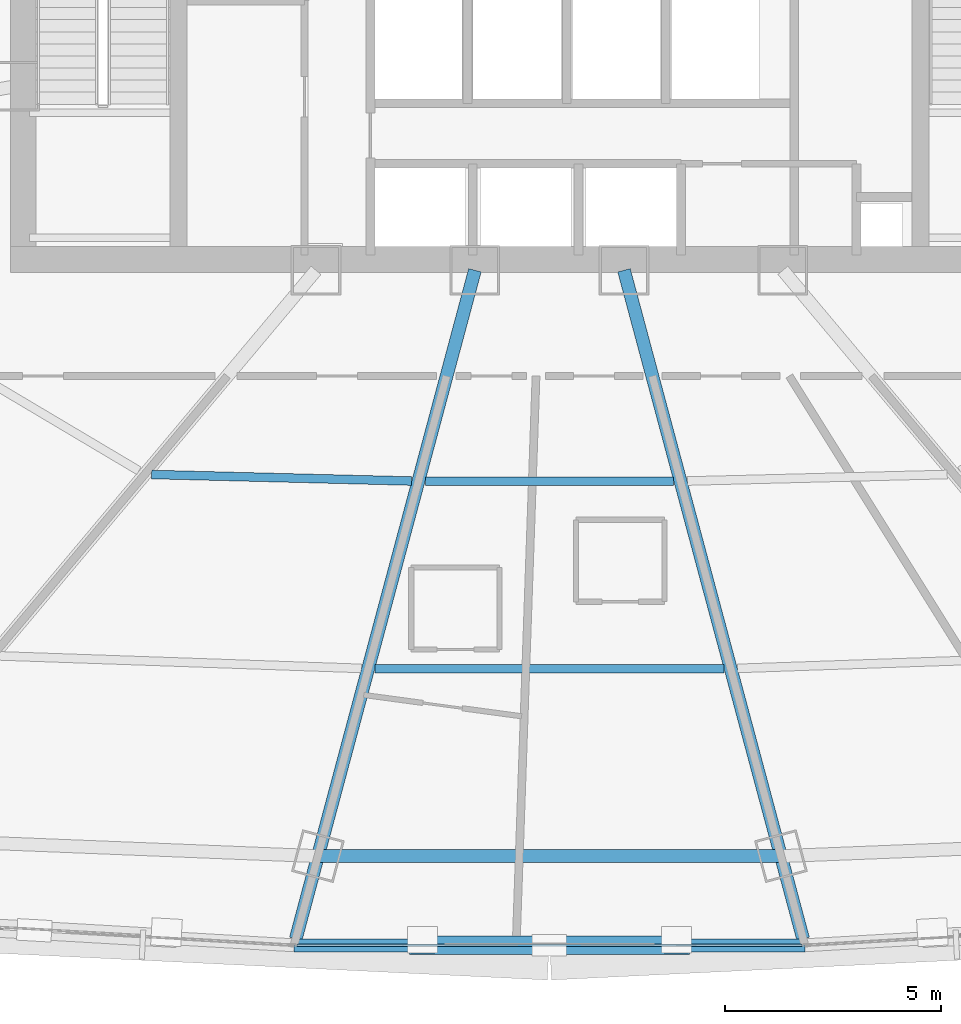
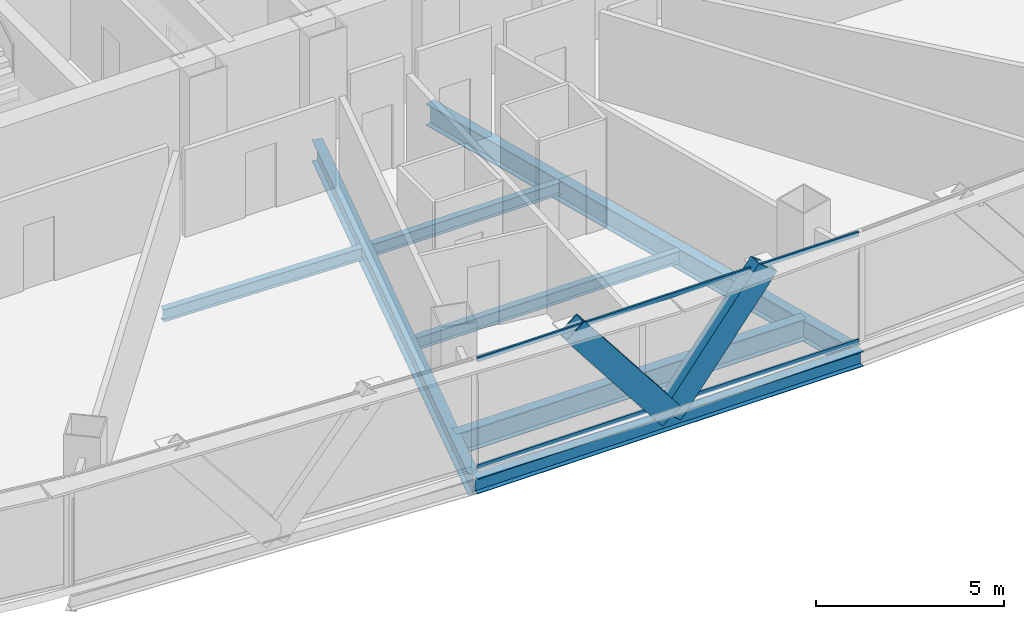
# One storey, part 9 of 37: 7 beams, 4 members, 1 element without a shape of its own.
"""IFC4 building model written with IfcOpenShell, lengths in metres."""

from ifc_helpers import new_model, si_unit, direction, frame, origin, origin_2d, place, context, subcontext, project, spatial, hollow_rectangle, i_section, extrude, source, transform, mapped, material, layer, layer_set, material_profile, profile_set, type_object, element, aggregate, save


model = new_model("IFC4")

# Units and contexts
model_context = context("Model", 3, precision=1e-05, world=origin(), true_north=direction((0.0, 1.0)))
body_context = subcontext(model_context, "Body", "Model", "MODEL_VIEW")
ifc_project = project(units=[si_unit("LENGTHUNIT", "METRE"), si_unit("AREAUNIT", "SQUARE_METRE"), si_unit("VOLUMEUNIT", "CUBIC_METRE"), si_unit("PLANEANGLEUNIT", "RADIAN"), si_unit("MASSUNIT", "GRAM", prefix="KILO"), si_unit("THERMODYNAMICTEMPERATUREUNIT", "KELVIN"), si_unit("POWERUNIT", "WATT")], contexts=[model_context])

# Site, building, storey
site_placement = place(None, origin())
site = spatial("IfcSite", under=ifc_project, at=site_placement, CompositionType="ELEMENT")
building_placement = place(site_placement, origin())
building = spatial("IfcBuilding", under=site, at=building_placement, Name="Yunzhuo Pagoda Commons", CompositionType="ELEMENT")
storey_placement = place(building_placement, frame((0.0, 0.0, 88.780029296875)))
storey = spatial("IfcBuildingStorey", under=building, at=storey_placement, Name="L22", CompositionType="ELEMENT", Elevation=88.780029296875)

# Beams
ifc_material_1 = material(Name="Structural steel Q355B", Category="steel")
ifc_material_profile_1 = material_profile(ifc_material_1, i_section(OverallWidth=0.300048828125, OverallDepth=0.488037109375, WebThickness=0.010986328125, FlangeThickness=0.01806640625, at=origin_2d()), Name="Structural steel Q355B")
ifc_profile_set_1 = profile_set([ifc_material_profile_1], Name="Structural steel Q355B")
beam_type_1 = type_object("IfcBeamType", Name="B-SP1 Beam HM 488x300x11x18", PredefinedType="BEAM", material=ifc_profile_set_1)
shared_shape_1 = source(origin(), body_context, "Body", "SweptSolid", [
    extrude(i_section(OverallWidth=0.300048828125, OverallDepth=0.488037109375, WebThickness=0.010986328125, FlangeThickness=0.01806640625, at=origin_2d()), origin(), (0.0, 0.0, 1.0), 11.8427734375),
])
beam_1_placement = place(storey_placement, frame((42.07861328125, 11.60107421875, -0.504150390625), z_axis=(1.0, 0.0, 0.0), x_axis=(0.0, 1.0, 0.0)))
element("IfcBeam", 1, at=beam_1_placement, inside=storey, type_object=beam_type_1, Name="L22 facade edge spandrel beam F1.2", PredefinedType="BEAM", context=body_context, shape_type="MappedRepresentation", body=[
    mapped(shared_shape_1, transform((0.0, 0.0, 0.0), scale=1.0)),
])
ifc_material_profile_2 = material_profile(ifc_material_1, i_section(OverallWidth=0.300048828125, OverallDepth=0.699951171875, WebThickness=0.012939453125, FlangeThickness=0.02392578125, at=origin_2d()), Name="Structural steel Q355B")
ifc_profile_set_2 = profile_set([ifc_material_profile_2], Name="Structural steel Q355B")
beam_type_2 = type_object("IfcBeamType", Name="B-RG1 Beam HN 700x300x13x24", PredefinedType="BEAM", material=ifc_profile_set_2)
shared_shape_2 = source(origin(), body_context, "Body", "SweptSolid", [
    extrude(i_section(OverallWidth=0.300048828125, OverallDepth=0.699951171875, WebThickness=0.012939453125, FlangeThickness=0.02392578125, at=origin_2d()), origin(), (0.0, 0.0, 1.0), 10.73486328125),
])
beam_2_placement = place(storey_placement, frame((42.632568359375, 13.66845703125, -0.610107421875), z_axis=(1.0, 0.0, 0.0), x_axis=(0.0, 1.0, 0.0)))
element("IfcBeam", 2, at=beam_2_placement, inside=storey, type_object=beam_type_2, Name="L22 column-ring beam 2", PredefinedType="BEAM", context=body_context, shape_type="MappedRepresentation", body=[
    mapped(shared_shape_2, transform((0.0, 0.0, 0.0), scale=1.0)),
])
shared_shape_3 = source(origin(), body_context, "Body", "SweptSolid", [
    extrude(i_section(OverallWidth=0.300048828125, OverallDepth=0.699951171875, WebThickness=0.012939453125, FlangeThickness=0.02392578125, at=origin_2d()), origin(), (0.0, 0.0, 1.0), 16.046142578125),
])
beam_3_placement = place(storey_placement, frame((42.11865234375, 11.750732421875, -0.610107421875), z_axis=(0.258836726118, 0.965921088502, 0.0), x_axis=(-0.965921088502, 0.258836726118, 0.0)))
element("IfcBeam", 3, at=beam_3_placement, inside=storey, type_object=beam_type_2, Name="L22 radial floor girder F1C2", PredefinedType="BEAM", context=body_context, shape_type="MappedRepresentation", body=[
    mapped(shared_shape_3, transform((0.0, 0.0, 0.0), scale=1.0)),
])
shared_shape_4 = source(origin(), body_context, "Body", "SweptSolid", [
    extrude(i_section(OverallWidth=0.300048828125, OverallDepth=0.699951171875, WebThickness=0.012939453125, FlangeThickness=0.02392578125, at=origin_2d()), origin(), (0.0, 0.0, 1.0), 16.0458984375),
])
beam_4_placement = place(storey_placement, frame((53.88134765625, 11.750732421875, -0.610107421875), z_axis=(-0.258808334578, 0.965928696102, 0.0), x_axis=(-0.965928696102, -0.258808334578, 0.0)))
element("IfcBeam", 4, at=beam_4_placement, inside=storey, type_object=beam_type_2, Name="L22 radial floor girder F1C3", PredefinedType="BEAM", context=body_context, shape_type="MappedRepresentation", body=[
    mapped(shared_shape_4, transform((0.0, 0.0, 0.0), scale=1.0)),
])
ifc_material_profile_3 = material_profile(ifc_material_1, i_section(OverallWidth=0.199951171875, OverallDepth=0.39990234375, WebThickness=0.008056640625, FlangeThickness=0.012939453125, at=origin_2d()), Name="Structural steel Q355B")
ifc_profile_set_3 = profile_set([ifc_material_profile_3], Name="Structural steel Q355B")
beam_type_3 = type_object("IfcBeamType", Name="B-JS1 Joist HN 400x200x8x13", PredefinedType="JOIST", material=ifc_profile_set_3)
shared_shape_5 = source(origin(), body_context, "Body", "SweptSolid", [
    extrude(i_section(OverallWidth=0.199951171875, OverallDepth=0.39990234375, WebThickness=0.008056640625, FlangeThickness=0.012939453125, at=origin_2d()), origin(), (0.0, 0.0, 1.0), 6.026611328125),
])
beam_5_placement = place(storey_placement, frame((38.778076171875, 22.516357421875, -0.4599609375), z_axis=(0.99968248871, -0.025197654009, 0.0), x_axis=(0.025197654009, 0.99968248871, 0.0)))
element("IfcBeam", 5, at=beam_5_placement, inside=storey, type_object=beam_type_3, Name="L22 composite ring joist 1.1", PredefinedType="JOIST", context=body_context, shape_type="MappedRepresentation", body=[
    mapped(shared_shape_5, transform((0.0, 0.0, 0.0), scale=1.0)),
])
shared_shape_6 = source(origin(), body_context, "Body", "SweptSolid", [
    extrude(i_section(OverallWidth=0.199951171875, OverallDepth=0.39990234375, WebThickness=0.008056640625, FlangeThickness=0.012939453125, at=origin_2d()), origin(), (0.0, 0.0, 1.0), 5.7587890625),
])
beam_6_placement = place(storey_placement, frame((45.120849609375, 22.360595703125, -0.4599609375), z_axis=(1.0, 0.0, 0.0), x_axis=(0.0, 1.0, 0.0)))
element("IfcBeam", 6, at=beam_6_placement, inside=storey, type_object=beam_type_3, Name="L22 composite ring joist 1.2", PredefinedType="JOIST", context=body_context, shape_type="MappedRepresentation", body=[
    mapped(shared_shape_6, transform((0.0, 0.0, 0.0), scale=1.0)),
])
shared_shape_7 = source(origin(), body_context, "Body", "SweptSolid", [
    extrude(i_section(OverallWidth=0.199951171875, OverallDepth=0.39990234375, WebThickness=0.008056640625, FlangeThickness=0.012939453125, at=origin_2d()), origin(), (0.0, 0.0, 1.0), 8.087890625),
])
beam_7_placement = place(storey_placement, frame((43.9560546875, 18.014404296875, -0.4599609375), z_axis=(1.0, 0.0, 0.0), x_axis=(0.0, 1.0, 0.0)))
element("IfcBeam", 7, at=beam_7_placement, inside=storey, type_object=beam_type_3, Name="L22 composite ring joist 2.2", PredefinedType="JOIST", context=body_context, shape_type="MappedRepresentation", body=[
    mapped(shared_shape_7, transform((0.0, 0.0, 0.0), scale=1.0)),
])

# Members
ifc_material_2 = material(Name="Structural steel Q420B", Category="steel")
ifc_material_profile_4 = material_profile(ifc_material_2, hollow_rectangle(XDim=0.419921875, YDim=0.719970703125, WallThickness=0.028076171875, at=origin_2d()), Name="Structural steel Q420B")
ifc_profile_set_4 = profile_set([ifc_material_profile_4], Name="Structural steel Q420B")
member_type_1 = type_object("IfcMemberType", Name="M-DL1 Brace BOX 720x420x28", PredefinedType="BRACE", material=ifc_profile_set_4)
shared_shape_8 = source(origin(), body_context, "Body", "SweptSolid", [
    extrude(hollow_rectangle(XDim=0.419921875, YDim=0.719970703125, WallThickness=0.028076171875, at=origin_2d()), origin(), (0.0, 0.0, 1.0), 4.817138671875),
])
for number, where, z_axis, x_axis, name in (
    (8, (48.0, 11.60107421875, -0.259765625), (-0.614624594305, 0.0, 0.788819756392), (0.0, -1.0, 0.0), "L22 facade diamond brace F1.2L"),
    (9, (48.0, 11.60107421875, -0.259765625), (0.614624594305, 0.0, 0.788819756392), (0.0, 1.0, 0.0), "L22 facade diamond brace F1.2R"),
):
    element("IfcMember", number, at=place(storey_placement, frame(where, z_axis=z_axis, x_axis=x_axis)), inside=storey, type_object=member_type_1, Name=name, PredefinedType="BRACE", context=body_context, shape_type="MappedRepresentation", body=[
        mapped(shared_shape_8, transform((0.0, 0.0, 0.0), scale=1.0)),
    ])

# Curtain wall, members
ifc_material_3 = material(Name="Anodized aluminium 6063-T6", Category="aluminium")
ifc_layer = layer(ifc_material_3, 0.1650390625)
ifc_layer_set = layer_set([ifc_layer], Name="Anodized aluminium 6063-T6")
curtain_wall_type = type_object("IfcCurtainWallType", Name="CW-LOW Low-Zone Ribbon Curtain Wall", PredefinedType="NOTDEFINED", material=ifc_layer_set)
curtain_wall_placement = place(storey_placement, origin())
curtain_wall = element("IfcCurtainWall", 10, at=curtain_wall_placement, inside=storey, type_object=curtain_wall_type, Name="L22 curtain wall CW-L22-F1B3", PredefinedType="NOTDEFINED")
ifc_material_profile_5 = material_profile(ifc_material_3, hollow_rectangle(XDim=0.06005859375, YDim=0.139892578125, WallThickness=0.00341796875, at=origin_2d()), Name="Anodized aluminium 6063-T6")
ifc_profile_set_5 = profile_set([ifc_material_profile_5], Name="Anodized aluminium 6063-T6")
member_type_2 = type_object("IfcMemberType", Name="CW-LOW-T Transom RHS 140x60x3.5", PredefinedType="USERDEFINED", material=ifc_profile_set_5)
shared_shape_9 = source(origin(), body_context, "Body", "SweptSolid", [
    extrude(hollow_rectangle(XDim=0.06005859375, YDim=0.139892578125, WallThickness=0.00341796875, at=origin_2d()), origin(), (0.0, 0.0, 1.0), 11.712890625),
])
member_1_placement = place(storey_placement, frame((42.1435546875, 11.60107421875, 0.030029296875), z_axis=(1.0, 0.0, 0.0), x_axis=(0.0, 1.0, 0.0)))
member_1 = element("IfcMember", 11, at=member_1_placement, type_object=member_type_2, Name="CW transom 1.1", ObjectType="TRANSOM", PredefinedType="USERDEFINED", context=body_context, shape_type="MappedRepresentation", body=[
    mapped(shared_shape_9, transform((0.0, 0.0, 0.0), scale=1.0)),
])
member_2_placement = place(storey_placement, frame((42.1435546875, 11.60107421875, 3.510009765625), z_axis=(1.0, 0.0, 0.0), x_axis=(0.0, 1.0, 0.0)))
member_2 = element("IfcMember", 12, at=member_2_placement, type_object=member_type_2, Name="CW transom 1.2", ObjectType="TRANSOM", PredefinedType="USERDEFINED", context=body_context, shape_type="MappedRepresentation", body=[
    mapped(shared_shape_9, transform((0.0, 0.0, 0.0), scale=1.0)),
])
aggregate(curtain_wall, [member_1, member_2])

save(model, "model.ifc")
